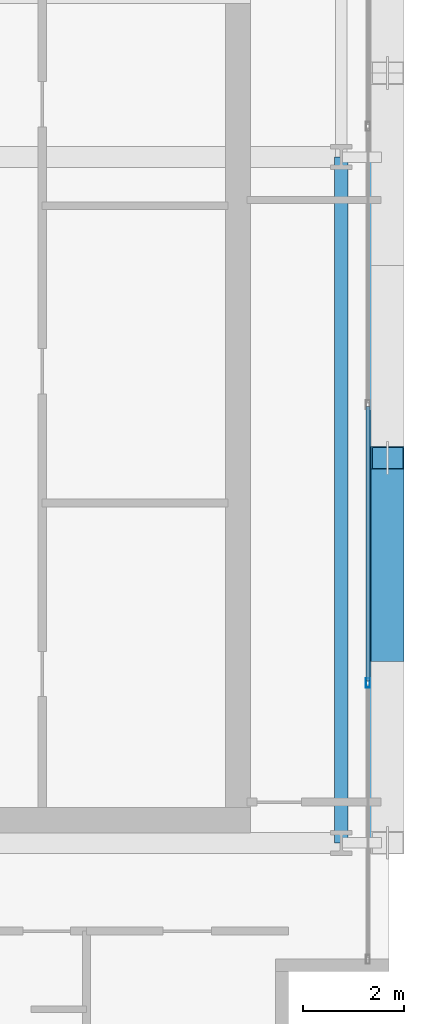
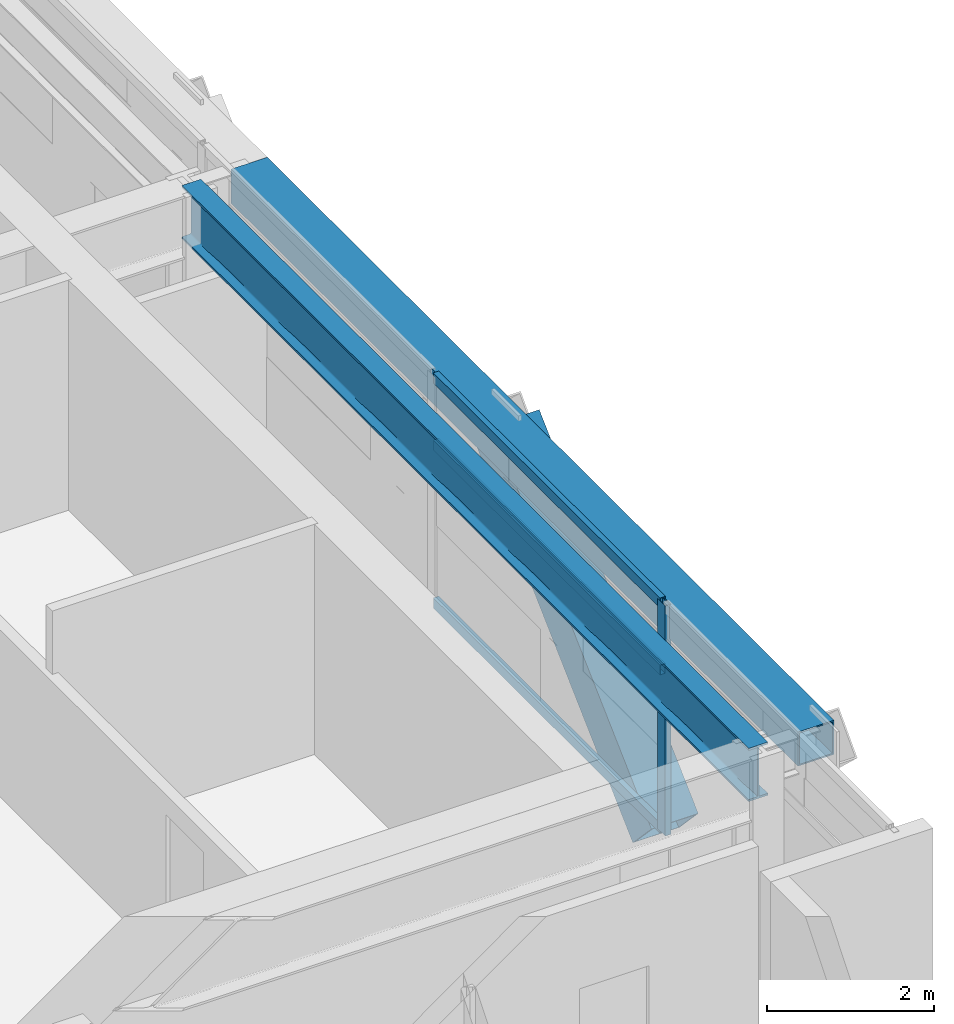
# One storey, part 15 of 37: 5 members, 2 beams, 1 element without a shape of its own.
"""IFC4 building model written with IfcOpenShell, lengths in metres."""

from ifc_helpers import new_model, si_unit, direction, frame, origin, origin_2d, place, context, subcontext, project, spatial, hollow_rectangle, i_section, extrude, source, transform, mapped, material, layer, layer_set, material_profile, profile_set, type_object, element, aggregate, save


model = new_model("IFC4")

# Units and contexts
model_context = context("Model", 3, precision=1e-05, world=origin(), true_north=direction((0.0, 1.0)))
body_context = subcontext(model_context, "Body", "Model", "MODEL_VIEW")
ifc_project = project(units=[si_unit("LENGTHUNIT", "METRE"), si_unit("AREAUNIT", "SQUARE_METRE"), si_unit("VOLUMEUNIT", "CUBIC_METRE"), si_unit("PLANEANGLEUNIT", "RADIAN"), si_unit("MASSUNIT", "GRAM", prefix="KILO")], contexts=[model_context])

# Site, building, storey
site_placement = place(None, origin())
site = spatial("IfcSite", under=ifc_project, at=site_placement, CompositionType="ELEMENT")
building_placement = place(site_placement, origin())
building = spatial("IfcBuilding", under=site, at=building_placement, Name="Ocotamira Hotel", CompositionType="ELEMENT")
storey_placement = place(building_placement, frame((0.0, 0.0, 192.0)))
storey = spatial("IfcBuildingStorey", under=building, at=storey_placement, Name="L48", CompositionType="ELEMENT", Elevation=192.0)

# Beams
ifc_material_1 = material(Name="Steel ASTM A992 Grade 50", Category="steel")
ifc_material_profile_1 = material_profile(ifc_material_1, i_section(OverallWidth=0.26611328125, OverallDepth=0.779052734375, WebThickness=0.0166015625, FlangeThickness=0.030029296875, FilletRadius=0.01806640625, at=origin_2d()), Name="W30X148")
ifc_profile_set_1 = profile_set([ifc_material_profile_1], Name="Steel ASTM A992 Grade 50")
beam_type_1 = type_object("IfcBeamType", Name="BM-GIRD-W30X148", PredefinedType="BEAM", material=ifc_profile_set_1)
shared_shape_1 = source(origin(), body_context, "Body", "SweptSolid", [
    extrude(i_section(OverallWidth=0.26611328125, OverallDepth=0.779052734375, WebThickness=0.0166015625, FlangeThickness=0.030029296875, FilletRadius=0.01806640625, at=origin_2d()), origin(), (0.0, 0.0, 1.0), 13.599853515625),
])
beam_1_placement = place(storey_placement, frame((55.050048828125, 14.550048828125, 2.98046875), z_axis=(0.0, 1.0, 0.0), x_axis=(-1.0, 0.0, 0.0)))
element("IfcBeam", 1, at=beam_1_placement, inside=storey, type_object=beam_type_1, Name="L48 Beam X55.05 Y14.55-28.15", PredefinedType="BEAM", context=body_context, shape_type="MappedRepresentation", body=[
    mapped(shared_shape_1, transform((0.0, 0.0, 0.0), scale=1.0)),
])
ifc_material_2 = material(Name="Steel ASTM A500 Grade C", Category="steel")
ifc_material_profile_2 = material_profile(ifc_material_2, hollow_rectangle(XDim=0.5, YDim=0.5, WallThickness=0.02001953125, at=origin_2d()), Name="HSS500X500X20")
ifc_profile_set_2 = profile_set([ifc_material_profile_2], Name="Steel ASTM A500 Grade C")
beam_type_2 = type_object("IfcBeamType", Name="BM-SPAN-HSS500", PredefinedType="USERDEFINED", material=ifc_profile_set_2)
shared_shape_2 = source(origin(), body_context, "Body", "SweptSolid", [
    extrude(hollow_rectangle(XDim=0.5, YDim=0.5, WallThickness=0.02001953125, at=origin_2d()), origin(), (0.0, 0.0, 1.0), 13.599853515625),
])
beam_2_placement = place(storey_placement, frame((55.85009765625, 14.550048828125, 3.1201171875), z_axis=(0.0, 1.0, 0.0), x_axis=(-1.0, 0.0, 0.0)))
element("IfcBeam", 2, at=beam_2_placement, inside=storey, type_object=beam_type_2, Name="L48 Edge Spandrel E Y14.55-28.15", ObjectType="SPANDREL", PredefinedType="USERDEFINED", context=body_context, shape_type="MappedRepresentation", body=[
    mapped(shared_shape_2, transform((0.0, 0.0, 0.0), scale=1.0)),
])

# Member
ifc_material_3 = material(Name="Pale-metal coated steel ASTM A913 Grade 65", Category="steel")
ifc_material_profile_3 = material_profile(ifc_material_3, hollow_rectangle(XDim=0.64990234375, YDim=0.64990234375, WallThickness=0.02197265625, at=origin_2d()), Name="BOX650X650X22")
ifc_profile_set_3 = profile_set([ifc_material_profile_3], Name="Pale-metal coated steel ASTM A913 Grade 65")
member_type_1 = type_object("IfcMemberType", Name="MEM-EXO-BOX650", PredefinedType="BRACE", material=ifc_profile_set_3)
shared_shape_3 = source(origin(), body_context, "Body", "SweptSolid", [
    extrude(hollow_rectangle(XDim=0.64990234375, YDim=0.64990234375, WallThickness=0.02197265625, at=origin_2d()), origin(), (0.0, 0.0, 1.0), 5.24658203125),
])
member_1_placement = place(storey_placement, frame((55.969970703125, 18.36669921875, -0.47998046875), z_axis=(0.0, 0.727442733726, 0.686168397078), x_axis=(-1.0, 0.0, 0.0)))
element("IfcMember", 3, at=member_1_placement, inside=storey, type_object=member_type_1, Name="L48 Exoskeleton Diagrid E0.2", PredefinedType="BRACE", context=body_context, shape_type="MappedRepresentation", body=[
    mapped(shared_shape_3, transform((0.0, 0.0, 0.0), scale=1.0)),
])

# Curtain wall, members
ifc_material_4 = material(Name="Anodised pale-metal aluminium and solar glass", Category="aluminium")
ifc_layer = layer(ifc_material_4, 0.199951171875)
ifc_layer_set = layer_set([ifc_layer], Name="Anodised pale-metal aluminium and solar glass")
curtain_wall_type = type_object("IfcCurtainWallType", Name="CW-SYS4-Z3", PredefinedType="NOTDEFINED", material=ifc_layer_set)
curtain_wall_placement = place(storey_placement, origin())
curtain_wall = element("IfcCurtainWall", 4, at=curtain_wall_placement, inside=storey, type_object=curtain_wall_type, Name="L48 Curtain Wall CW-4 CW-L48-E", PredefinedType="NOTDEFINED")
ifc_material_5 = material(Name="Anodised pale-metal aluminium 6063-T6", Category="aluminium")
ifc_material_profile_4 = material_profile(ifc_material_5, hollow_rectangle(XDim=0.080078125, YDim=0.179931640625, WallThickness=0.006103515625, at=origin_2d()), Name="HSS180X80X6")
ifc_profile_set_4 = profile_set([ifc_material_profile_4], Name="Anodised pale-metal aluminium 6063-T6")
member_type_2 = type_object("IfcMemberType", Name="CWM-180X75", PredefinedType="MULLION", material=ifc_profile_set_4)
shared_shape_4 = source(origin(), body_context, "Body", "SweptSolid", [
    extrude(hollow_rectangle(XDim=0.080078125, YDim=0.179931640625, WallThickness=0.006103515625, at=origin_2d()), origin(), (0.0, 0.0, 1.0), 3.3701171875),
])
member_2_placement = place(storey_placement, frame((55.580078125, 17.719970703125, 0.0), z_axis=(0.0, 0.0, 1.0), x_axis=(-1.0, 0.0, 0.0)))
member_2 = element("IfcMember", 5, at=member_2_placement, type_object=member_type_2, Name="CW-4 mullion 2", PredefinedType="MULLION", context=body_context, shape_type="MappedRepresentation", body=[
    mapped(shared_shape_4, transform((0.0, 0.0, 0.0), scale=1.0)),
])
ifc_material_profile_5 = material_profile(ifc_material_5, hollow_rectangle(XDim=0.074951171875, YDim=0.14990234375, WallThickness=0.006103515625, at=origin_2d()), Name="HSS150X75X6")
ifc_profile_set_5 = profile_set([ifc_material_profile_5], Name="Anodised pale-metal aluminium 6063-T6")
member_type_3 = type_object("IfcMemberType", Name="CWT-150X75", PredefinedType="USERDEFINED", material=ifc_profile_set_5)
shared_shape_5 = source(origin(), body_context, "Body", "SweptSolid", [
    extrude(hollow_rectangle(XDim=0.074951171875, YDim=0.14990234375, WallThickness=0.006103515625, at=origin_2d()), origin(), (0.0, 0.0, 1.0), 5.43994140625),
])
member_3_placement = place(storey_placement, frame((55.580078125, 17.760009765625, 0.03759765625), z_axis=(0.0, 1.0, 0.0), x_axis=(-1.0, 0.0, 0.0)))
member_3 = element("IfcMember", 6, at=member_3_placement, type_object=member_type_3, Name="CW-4 transom 2.1", ObjectType="TRANSOM", PredefinedType="USERDEFINED", context=body_context, shape_type="MappedRepresentation", body=[
    mapped(shared_shape_5, transform((0.0, 0.0, 0.0), scale=1.0)),
])
member_4_placement = place(storey_placement, frame((55.580078125, 17.760009765625, 2.35009765625), z_axis=(0.0, 1.0, 0.0), x_axis=(-1.0, 0.0, 0.0)))
member_4 = element("IfcMember", 7, at=member_4_placement, type_object=member_type_3, Name="CW-4 transom 2.2", ObjectType="TRANSOM", PredefinedType="USERDEFINED", context=body_context, shape_type="MappedRepresentation", body=[
    mapped(shared_shape_5, transform((0.0, 0.0, 0.0), scale=1.0)),
])
member_5_placement = place(storey_placement, frame((55.580078125, 17.760009765625, 3.33251953125), z_axis=(0.0, 1.0, 0.0), x_axis=(-1.0, 0.0, 0.0)))
member_5 = element("IfcMember", 8, at=member_5_placement, type_object=member_type_3, Name="CW-4 transom 2.3", ObjectType="TRANSOM", PredefinedType="USERDEFINED", context=body_context, shape_type="MappedRepresentation", body=[
    mapped(shared_shape_5, transform((0.0, 0.0, 0.0), scale=1.0)),
])
aggregate(curtain_wall, [member_2, member_3, member_4, member_5])

save(model, "model.ifc")
